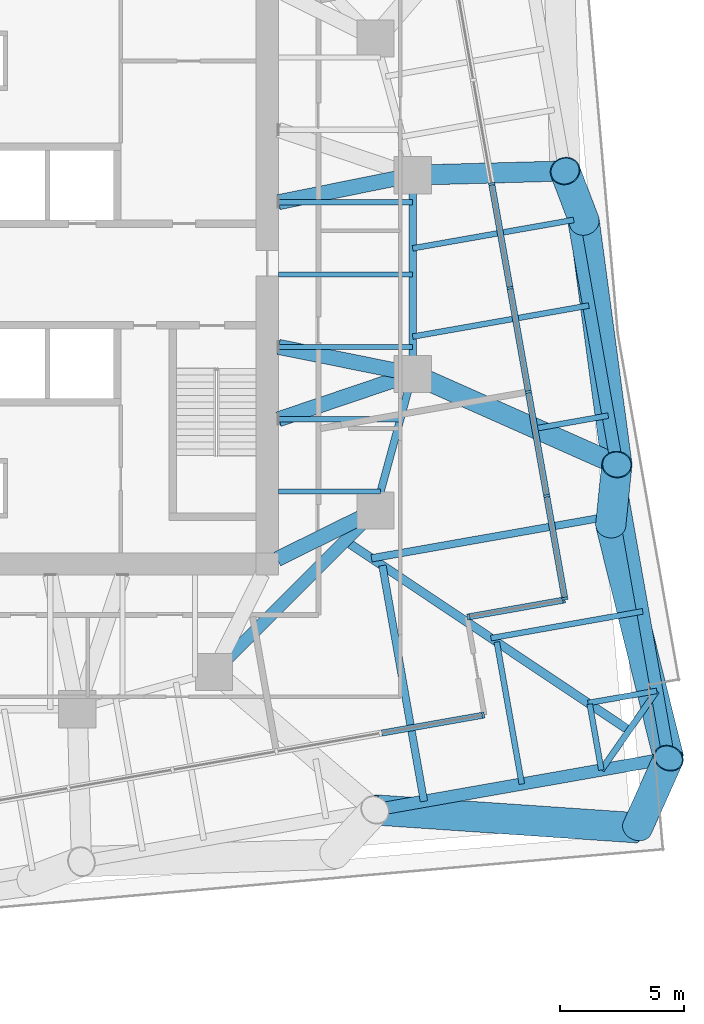
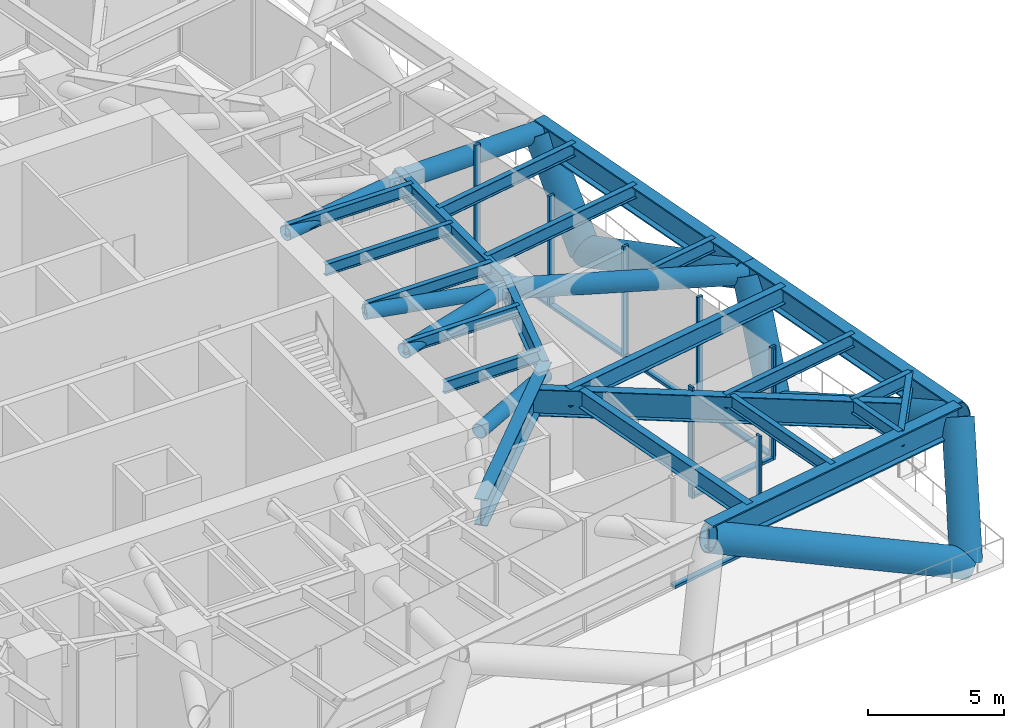
# One storey, part 4 of 15: 26 members, 22 beams, 3 elements without a shape of their own.
"""IFC4 building model written with IfcOpenShell, lengths in metres."""

from ifc_helpers import new_model, si_unit, direction, frame, origin, origin_2d, place, context, subcontext, project, spatial, rectangle, hollow_circle, i_section, extrude, material, material_profile, profile_set, type_object, element, aggregate, save


model = new_model("IFC4")

# Units and contexts
model_context = context("Model", 3, precision=1e-05, world=origin(), true_north=direction((0.0, 1.0)))
body_context = subcontext(model_context, "Body", "Model", "MODEL_VIEW")
ifc_project = project(units=[si_unit("LENGTHUNIT", "METRE"), si_unit("AREAUNIT", "SQUARE_METRE"), si_unit("VOLUMEUNIT", "CUBIC_METRE"), si_unit("PLANEANGLEUNIT", "RADIAN"), si_unit("MASSUNIT", "GRAM", prefix="KILO")], contexts=[model_context])

# Site, building, storey
site_placement = place(None, origin())
site = spatial("IfcSite", under=ifc_project, at=site_placement, CompositionType="ELEMENT")
building_placement = place(site_placement, origin())
building = spatial("IfcBuilding", under=site, at=building_placement, Name="Torsade Residences", CompositionType="ELEMENT")
storey_placement = place(building_placement, frame((0.0, 0.0, 74.39990234375)))
storey = spatial("IfcBuildingStorey", under=building, at=storey_placement, Name="L20", CompositionType="ELEMENT", Elevation=74.39990234375)

# Beams
ifc_material_1 = material(Name="Steel grade 300", Category="steel")
ifc_material_profile_1 = material_profile(ifc_material_1, i_section(OverallWidth=0.35009765625, OverallDepth=1.199951171875, WebThickness=0.01611328125, FlangeThickness=0.028076171875, at=origin_2d()), Name="1200WB278")
ifc_profile_set_1 = profile_set([ifc_material_profile_1], Name="Steel grade 300")
beam_type_1 = type_object("IfcBeamType", Name="CORNER GIRDER 1200WB278", PredefinedType="BEAM", material=ifc_profile_set_1)
beam_1_placement = place(storey_placement, frame((66.2099609375, 11.6474609375, 4.25), z_axis=(-0.831284218533, 0.555847594236, 0.0), x_axis=(-0.555847594236, -0.831284218533, 0.0)))
element("IfcBeam", 1, at=beam_1_placement, inside=storey, type_object=beam_type_1, Name="Corner girder 05 L21", PredefinedType="BEAM", context=body_context, shape_type="SweptSolid", body=[
    extrude(i_section(OverallWidth=0.35009765625, OverallDepth=1.199951171875, WebThickness=0.01611328125, FlangeThickness=0.028076171875, at=origin_2d()), origin(), (0.0, 0.0, 1.0), 13.742431640625),
])
ifc_material_2 = material(Name="Steel grade 300", Category="steel")
ifc_material_profile_2 = material_profile(ifc_material_2, i_section(OverallWidth=0.25, OverallDepth=0.699951171875, WebThickness=0.010009765625, FlangeThickness=0.02001953125, at=origin_2d()), Name="700WB130")
ifc_profile_set_2 = profile_set([ifc_material_profile_2], Name="Steel grade 300")
beam_type_2 = type_object("IfcBeamType", Name="CORNER TRIMMER 700WB130", PredefinedType="BEAM", material=ifc_profile_set_2)
beam_2_placement = place(storey_placement, frame((67.325439453125, 13.240478515625, 4.5), z_axis=(-0.573576092373, -0.819152285145, 0.0), x_axis=(0.819152285145, -0.573576092373, 0.0)))
element("IfcBeam", 2, at=beam_2_placement, inside=storey, type_object=beam_type_2, Name="Corner trimmer 05 L21", PredefinedType="BEAM", context=body_context, shape_type="SweptSolid", body=[
    extrude(i_section(OverallWidth=0.25, OverallDepth=0.699951171875, WebThickness=0.010009765625, FlangeThickness=0.02001953125, at=origin_2d()), origin(), (0.0, 0.0, 1.0), 3.88916015625),
])
ifc_material_3 = material(Name="Steel grade 300", Category="steel")
ifc_material_profile_3 = material_profile(ifc_material_3, i_section(OverallWidth=0.208984375, OverallDepth=0.528076171875, WebThickness=0.009521484375, FlangeThickness=0.01318359375, FilletRadius=0.013916015625, at=origin_2d()), Name="530UB82.0")
ifc_profile_set_3 = profile_set([ifc_material_profile_3], Name="Steel grade 300")
beam_type_3 = type_object("IfcBeamType", Name="INNER FLOOR BEAM 530UB82.0", PredefinedType="JOIST", material=ifc_profile_set_3)
beam_3_placement = place(storey_placement, frame((52.10009765625, 21.262451171875, 4.586181640625), z_axis=(1.0, 0.0, 0.0), x_axis=(0.0, 1.0, 0.0)))
element("IfcBeam", 3, at=beam_3_placement, inside=storey, type_object=beam_type_3, Name="Inner floor beam IE01 L21", PredefinedType="JOIST", context=body_context, shape_type="SweptSolid", body=[
    extrude(i_section(OverallWidth=0.208984375, OverallDepth=0.528076171875, WebThickness=0.009521484375, FlangeThickness=0.01318359375, FilletRadius=0.013916015625, at=origin_2d()), origin(), (0.0, 0.0, 1.0), 4.10791015625),
])
beam_4_placement = place(storey_placement, frame((52.10009765625, 24.175048828125, 4.586181640625), z_axis=(1.0, 0.0, 0.0), x_axis=(0.0, 1.0, 0.0)))
element("IfcBeam", 4, at=beam_4_placement, inside=storey, type_object=beam_type_3, Name="Inner floor beam IE02 L21", PredefinedType="JOIST", context=body_context, shape_type="SweptSolid", body=[
    extrude(i_section(OverallWidth=0.208984375, OverallDepth=0.528076171875, WebThickness=0.009521484375, FlangeThickness=0.01318359375, FilletRadius=0.013916015625, at=origin_2d()), origin(), (0.0, 0.0, 1.0), 4.902099609375),
])
for number, where, z_axis, x_axis, name in (
    (5, (52.10009765625, 27.08740234375, 4.586181640625), (1.0, 0.0, 0.0), (0.0, 1.0, 0.0), "Inner floor beam IE03 L21"),
    (6, (52.10009765625, 30.0, 4.586181640625), (1.0, 0.0, 0.0), (0.0, 1.0, 0.0), "Inner floor beam IE04 L21"),
    (7, (52.10009765625, 32.91259765625, 4.586181640625), (1.0, 0.0, 0.0), (0.0, 1.0, 0.0), "Inner floor beam IE05 L21"),
):
    element("IfcBeam", number, at=place(storey_placement, frame(where, z_axis=z_axis, x_axis=x_axis)), inside=storey, type_object=beam_type_3, Name=name, PredefinedType="JOIST", context=body_context, shape_type="SweptSolid", body=[
        extrude(i_section(OverallWidth=0.208984375, OverallDepth=0.528076171875, WebThickness=0.009521484375, FlangeThickness=0.01318359375, FilletRadius=0.013916015625, at=origin_2d()), origin(), (0.0, 0.0, 1.0), 5.39990234375),
    ])
ifc_material_4 = material(Name="Steel grade 300", Category="steel")
ifc_material_profile_4 = material_profile(ifc_material_4, i_section(OverallWidth=0.5, OverallDepth=1.199951171875, WebThickness=0.01611328125, FlangeThickness=0.0400390625, at=origin_2d()), Name="1200WB455")
ifc_profile_set_4 = profile_set([ifc_material_profile_4], Name="Steel grade 300")
beam_type_4 = type_object("IfcBeamType", Name="RING CORNER GIRDER 1200WB455", PredefinedType="BEAM", material=ifc_profile_set_4)
beam_5_placement = place(storey_placement, frame((49.5, 14.0, 4.25), z_axis=(0.707106781187, 0.707106781187, 0.0), x_axis=(-0.707106781187, 0.707106781187, 0.0)))
element("IfcBeam", 8, at=beam_5_placement, inside=storey, type_object=beam_type_4, Name="Ring girder IR15 L21", PredefinedType="BEAM", context=body_context, shape_type="SweptSolid", body=[
    extrude(i_section(OverallWidth=0.5, OverallDepth=1.199951171875, WebThickness=0.01611328125, FlangeThickness=0.0400390625, at=origin_2d()), origin(), (0.0, 0.0, 1.0), 9.1923828125),
])
ifc_material_5 = material(Name="Steel grade 300", Category="steel")
ifc_material_profile_5 = material_profile(ifc_material_5, i_section(OverallWidth=0.300048828125, OverallDepth=1.0, WebThickness=0.01611328125, FlangeThickness=0.028076171875, at=origin_2d()), Name="1000WB215")
ifc_profile_set_5 = profile_set([ifc_material_profile_5], Name="Steel grade 300")
beam_type_5 = type_object("IfcBeamType", Name="RING GIRDER 1000WB215", PredefinedType="BEAM", material=ifc_profile_set_5)
beam_6_placement = place(storey_placement, frame((57.5, 26.0, 4.35009765625), z_axis=(0.0, 1.0, 0.0), x_axis=(-1.0, 0.0, 0.0)))
element("IfcBeam", 9, at=beam_6_placement, inside=storey, type_object=beam_type_5, Name="Ring girder IR01 L21", PredefinedType="BEAM", context=body_context, shape_type="SweptSolid", body=[
    extrude(i_section(OverallWidth=0.300048828125, OverallDepth=1.0, WebThickness=0.01611328125, FlangeThickness=0.028076171875, at=origin_2d()), origin(), (0.0, 0.0, 1.0), 8.0),
])
beam_7_placement = place(storey_placement, frame((56.0, 20.5, 4.35009765625), z_axis=(0.263117405792, 0.964763821238, 0.0), x_axis=(-0.964763821238, 0.263117405792, 0.0)))
element("IfcBeam", 10, at=beam_7_placement, inside=storey, type_object=beam_type_5, Name="Ring girder IR16 L21", PredefinedType="BEAM", context=body_context, shape_type="SweptSolid", body=[
    extrude(i_section(OverallWidth=0.300048828125, OverallDepth=1.0, WebThickness=0.01611328125, FlangeThickness=0.028076171875, at=origin_2d()), origin(), (0.0, 0.0, 1.0), 5.700927734375),
])
ifc_material_6 = material(Name="Steel grade 300", Category="steel")
ifc_material_profile_6 = material_profile(ifc_material_6, i_section(OverallWidth=0.22900390625, OverallDepth=0.612060546875, WebThickness=0.011962890625, FlangeThickness=0.01953125, FilletRadius=0.013916015625, at=origin_2d()), Name="610UB125")
ifc_profile_set_6 = profile_set([ifc_material_profile_6], Name="Steel grade 300")
beam_type_6 = type_object("IfcBeamType", Name="SECONDARY BEAM 610UB125", PredefinedType="JOIST", material=ifc_profile_set_6)
beam_8_placement = place(storey_placement, frame((61.89404296875, 9.490234375, 4.544189453125), z_axis=(-0.17364618288, 0.984808104745, 0.0), x_axis=(-0.984808104745, -0.17364618288, 0.0)))
element("IfcBeam", 11, at=beam_8_placement, inside=storey, type_object=beam_type_6, Name="Floor beam FS11 L21", PredefinedType="JOIST", context=body_context, shape_type="SweptSolid", body=[
    extrude(i_section(OverallWidth=0.22900390625, OverallDepth=0.612060546875, WebThickness=0.011962890625, FlangeThickness=0.01953125, FilletRadius=0.013916015625, at=origin_2d()), origin(), (0.0, 0.0, 1.0), 5.80517578125),
])
beam_9_placement = place(storey_placement, frame((65.0947265625, 10.0546875, 4.544189453125), z_axis=(-0.173671513648, 0.984803637964, 0.0), x_axis=(-0.984803637964, -0.173671513648, 0.0)))
element("IfcBeam", 12, at=beam_9_placement, inside=storey, type_object=beam_type_6, Name="Floor beam FS12 L21", PredefinedType="JOIST", context=body_context, shape_type="SweptSolid", body=[
    extrude(i_section(OverallWidth=0.22900390625, OverallDepth=0.612060546875, WebThickness=0.011962890625, FlangeThickness=0.01953125, FilletRadius=0.013916015625, at=origin_2d()), origin(), (0.0, 0.0, 1.0), 2.692138671875),
])
beam_10_placement = place(storey_placement, frame((67.325439453125, 13.240478515625, 4.544189453125), z_axis=(-0.984808034965, -0.173646578627, 0.0), x_axis=(0.173646578627, -0.984808034965, 0.0)))
element("IfcBeam", 13, at=beam_10_placement, inside=storey, type_object=beam_type_6, Name="Floor beam FE01 L21", PredefinedType="JOIST", context=body_context, shape_type="SweptSolid", body=[
    extrude(i_section(OverallWidth=0.22900390625, OverallDepth=0.612060546875, WebThickness=0.011962890625, FlangeThickness=0.01953125, FilletRadius=0.013916015625, at=origin_2d()), origin(), (0.0, 0.0, 1.0), 2.810546875),
])
beam_11_placement = place(storey_placement, frame((66.760986328125, 16.44091796875, 4.544189453125), z_axis=(-0.984808114517, -0.173646127458, 0.0), x_axis=(0.173646127458, -0.984808114517, 0.0)))
element("IfcBeam", 14, at=beam_11_placement, inside=storey, type_object=beam_type_6, Name="Floor beam FE02 L21", PredefinedType="JOIST", context=body_context, shape_type="SweptSolid", body=[
    extrude(i_section(OverallWidth=0.22900390625, OverallDepth=0.612060546875, WebThickness=0.011962890625, FlangeThickness=0.01953125, FilletRadius=0.013916015625, at=origin_2d()), origin(), (0.0, 0.0, 1.0), 6.203125),
])
beam_12_placement = place(storey_placement, frame((65.371826171875, 24.319580078125, 4.544189453125), z_axis=(-0.984797618104, -0.17370564578, 0.0), x_axis=(0.17370564578, -0.984797618104, 0.0)))
element("IfcBeam", 15, at=beam_12_placement, inside=storey, type_object=beam_type_6, Name="Floor beam FE04 L21", PredefinedType="JOIST", context=body_context, shape_type="SweptSolid", body=[
    extrude(i_section(OverallWidth=0.22900390625, OverallDepth=0.612060546875, WebThickness=0.011962890625, FlangeThickness=0.01953125, FilletRadius=0.013916015625, at=origin_2d()), origin(), (0.0, 0.0, 1.0), 2.97119140625),
])
beam_13_placement = place(storey_placement, frame((64.59033203125, 28.751220703125, 4.544189453125), z_axis=(-0.984807104535, -0.173651855324, 0.0), x_axis=(0.173651855324, -0.984807104535, 0.0)))
element("IfcBeam", 16, at=beam_13_placement, inside=storey, type_object=beam_type_6, Name="Floor beam FE05 L21", PredefinedType="JOIST", context=body_context, shape_type="SweptSolid", body=[
    extrude(i_section(OverallWidth=0.22900390625, OverallDepth=0.612060546875, WebThickness=0.011962890625, FlangeThickness=0.01953125, FilletRadius=0.013916015625, at=origin_2d()), origin(), (0.0, 0.0, 1.0), 7.19970703125),
])
beam_14_placement = place(storey_placement, frame((63.982666015625, 32.197998046875, 4.544189453125), z_axis=(-0.984807818459, -0.173647806501, 0.0), x_axis=(0.173647806501, -0.984807818459, 0.0)))
element("IfcBeam", 17, at=beam_14_placement, inside=storey, type_object=beam_type_6, Name="Floor beam FE06 L21", PredefinedType="JOIST", context=body_context, shape_type="SweptSolid", body=[
    extrude(i_section(OverallWidth=0.22900390625, OverallDepth=0.612060546875, WebThickness=0.011962890625, FlangeThickness=0.01953125, FilletRadius=0.013916015625, at=origin_2d()), origin(), (0.0, 0.0, 1.0), 6.582763671875),
])
ifc_material_7 = material(Name="Steel grade 300", Category="steel")
ifc_material_profile_7 = material_profile(ifc_material_7, i_section(OverallWidth=0.300048828125, OverallDepth=0.800048828125, WebThickness=0.010009765625, FlangeThickness=0.02001953125, at=origin_2d()), Name="800WB146")
ifc_profile_set_7 = profile_set([ifc_material_profile_7], Name="Steel grade 300")
beam_type_7 = type_object("IfcBeamType", Name="SECONDARY BEAM 800WB146", PredefinedType="JOIST", material=ifc_profile_set_7)
beam_15_placement = place(storey_placement, frame((57.954833984375, 8.795654296875, 4.4501953125), z_axis=(-0.173639363846, 0.984809307086, 0.0), x_axis=(-0.984809307086, -0.173639363846, 0.0)))
element("IfcBeam", 18, at=beam_15_placement, inside=storey, type_object=beam_type_7, Name="Floor beam FS10 L21", PredefinedType="JOIST", context=body_context, shape_type="SweptSolid", body=[
    extrude(i_section(OverallWidth=0.300048828125, OverallDepth=0.800048828125, WebThickness=0.010009765625, FlangeThickness=0.02001953125, at=origin_2d()), origin(), (0.0, 0.0, 1.0), 9.636962890625),
])
beam_16_placement = place(storey_placement, frame((66.06640625, 20.380126953125, 4.4501953125), z_axis=(-0.98480888615, -0.173641751202, 0.0), x_axis=(0.173641751202, -0.98480888615, 0.0)))
element("IfcBeam", 19, at=beam_16_placement, inside=storey, type_object=beam_type_7, Name="Floor beam FE03 L21", PredefinedType="JOIST", context=body_context, shape_type="SweptSolid", body=[
    extrude(i_section(OverallWidth=0.300048828125, OverallDepth=0.800048828125, WebThickness=0.010009765625, FlangeThickness=0.02001953125, at=origin_2d()), origin(), (0.0, 0.0, 1.0), 10.379150390625),
])

# Members
ifc_material_8 = material(Name="Steel grade 450", Category="steel")
ifc_material_profile_8 = material_profile(ifc_material_8, hollow_circle(Radius=0.304931640625, WallThickness=0.01611328125, at=origin_2d()), Name="610.0x16.0CHS")
ifc_profile_set_8 = profile_set([ifc_material_profile_8], Name="Steel grade 450")
member_type_1 = type_object("IfcMemberType", Name="TRANSFER FLOOR BRACE 610.0x16.0CHS", PredefinedType="BRACE", material=ifc_profile_set_8)
member_1_placement = place(storey_placement, frame((57.5, 26.0, 4.25), z_axis=(-0.97976207845, 0.197299045909, 0.03375434957), x_axis=(-0.197411538983, -0.980320704809, 0.0)))
element("IfcMember", 20, at=member_1_placement, inside=storey, type_object=member_type_1, Name="Transfer floor brace TT2 top IR01IE03", PredefinedType="BRACE", context=body_context, shape_type="SweptSolid", body=[
    extrude(hollow_circle(Radius=0.304931640625, WallThickness=0.01611328125, at=origin_2d()), origin(), (0.0, 0.0, 1.0), 5.511474609375),
])
member_2_placement = place(storey_placement, frame((57.5, 26.0, 4.25), z_axis=(-0.946855969774, -0.319999474368, 0.032620682203), x_axis=(0.320169867513, -0.947360151124, 0.0)))
element("IfcMember", 21, at=member_2_placement, inside=storey, type_object=member_type_1, Name="Transfer floor brace TT2 top IR01IE02", PredefinedType="BRACE", context=body_context, shape_type="SweptSolid", body=[
    extrude(hollow_circle(Radius=0.304931640625, WallThickness=0.01611328125, at=origin_2d()), origin(), (0.0, 0.0, 1.0), 5.702880859375),
])
member_3_placement = place(storey_placement, frame((57.5, 34.0, 4.25), z_axis=(-0.97976207845, -0.197299045909, 0.03375434957), x_axis=(0.197411538983, -0.980320704809, 0.0)))
element("IfcMember", 22, at=member_3_placement, inside=storey, type_object=member_type_1, Name="Transfer floor brace TT2 top IR02IE05", PredefinedType="BRACE", context=body_context, shape_type="SweptSolid", body=[
    extrude(hollow_circle(Radius=0.304931640625, WallThickness=0.01611328125, at=origin_2d()), origin(), (0.0, 0.0, 1.0), 5.511474609375),
])
member_4_placement = place(storey_placement, frame((56.0, 20.5, 4.25), z_axis=(-0.896469701914, -0.443105036702, 0.0), x_axis=(0.443105036702, -0.896469701914, 0.0)))
element("IfcMember", 23, at=member_4_placement, inside=storey, type_object=member_type_1, Name="Transfer floor brace TT2 top IR16C", PredefinedType="BRACE", context=body_context, shape_type="SweptSolid", body=[
    extrude(hollow_circle(Radius=0.304931640625, WallThickness=0.01611328125, at=origin_2d()), origin(), (0.0, 0.0, 1.0), 4.40234375),
])
ifc_material_9 = material(Name="Steel grade 450", Category="steel")
ifc_material_profile_9 = material_profile(ifc_material_9, hollow_circle(Radius=0.406494140625, WallThickness=0.02490234375, at=origin_2d()), Name="813.0x25.0CHS")
ifc_profile_set_9 = profile_set([ifc_material_profile_9], Name="Steel grade 450")
member_type_2 = type_object("IfcMemberType", Name="TRANSFER FLOOR STRUT 813.0x25.0CHS", PredefinedType="STRUT", material=ifc_profile_set_9)
member_5_placement = place(storey_placement, frame((65.71923828125, 22.349853515625, 4.25), z_axis=(-0.913929053822, 0.405873976228, 0.0), x_axis=(-0.405873976228, -0.913929053822, 0.0)))
element("IfcMember", 24, at=member_5_placement, inside=storey, type_object=member_type_2, Name="Transfer floor strut TT2 top 06IR01", PredefinedType="STRUT", context=body_context, shape_type="SweptSolid", body=[
    extrude(hollow_circle(Radius=0.406494140625, WallThickness=0.02490234375, at=origin_2d()), origin(), (0.0, 0.0, 1.0), 8.993408203125),
])
member_6_placement = place(storey_placement, frame((63.635498046875, 34.16748046875, 4.25), z_axis=(-0.999627645955, -0.027286799774, 0.0), x_axis=(0.027286799774, -0.999627645955, 0.0)))
element("IfcMember", 25, at=member_6_placement, inside=storey, type_object=member_type_2, Name="Transfer floor strut TT2 top 07IR02", PredefinedType="STRUT", context=body_context, shape_type="SweptSolid", body=[
    extrude(hollow_circle(Radius=0.406494140625, WallThickness=0.02490234375, at=origin_2d()), origin(), (0.0, 0.0, 1.0), 6.1376953125),
])

# Curtain wall, member
ifc_material_10 = material(Name="Aluminium and glass", Category="aluminium")
curtain_wall_type = type_object("IfcCurtainWallType", Name="TRANSFER LEVEL CURTAIN WALL LOW ZONE", PredefinedType="NOTDEFINED", material=ifc_material_10)
curtain_wall_1_placement = place(storey_placement, origin())
curtain_wall_1 = element("IfcCurtainWall", 26, at=curtain_wall_1_placement, inside=storey, type_object=curtain_wall_type, Name="Curtain wall L20 face 1", PredefinedType="NOTDEFINED")
ifc_material_11 = material(Name="Aluminium mullion", Category="aluminium")
ifc_material_profile_10 = material_profile(ifc_material_11, rectangle(XDim=0.25, YDim=0.10009765625, at=origin_2d()), Name="TRANSFER LEVEL CURTAIN WALL MULLION 250x100")
ifc_profile_set_10 = profile_set([ifc_material_profile_10], Name="Aluminium mullion")
member_type_3 = type_object("IfcMemberType", Name="TRANSFER LEVEL CURTAIN WALL MULLION 250x100", PredefinedType="MULLION", material=ifc_profile_set_10)
member_7_placement = place(storey_placement, frame((60.339111328125, 12.262451171875, 0.0), z_axis=(0.0, 0.0, 1.0), x_axis=(-0.173648174504, 0.98480775357, 0.0)))
member_7 = element("IfcMember", 27, at=member_7_placement, type_object=member_type_3, Name="Mullion 9", PredefinedType="MULLION", context=body_context, shape_type="SweptSolid", body=[
    extrude(rectangle(XDim=0.25, YDim=0.10009765625, at=origin_2d()), origin(), (0.0, 0.0, 1.0), 5.0),
])

# Curtain wall, members
curtain_wall_2_placement = place(storey_placement, origin())
curtain_wall_2 = element("IfcCurtainWall", 28, at=curtain_wall_2_placement, inside=storey, type_object=curtain_wall_type, Name="Curtain wall L20 face 3", PredefinedType="NOTDEFINED")
member_8_placement = place(storey_placement, frame((59.742919921875, 16.218994140625, 0.0), z_axis=(0.0, 0.0, 1.0), x_axis=(-0.173648248327, 0.984807740553, 0.0)))
member_8 = element("IfcMember", 29, at=member_8_placement, type_object=member_type_3, Name="Mullion 1", PredefinedType="MULLION", context=body_context, shape_type="SweptSolid", body=[
    extrude(rectangle(XDim=0.25, YDim=0.10009765625, at=origin_2d()), origin(), (0.0, 0.0, 1.0), 5.0),
])
member_9_placement = place(storey_placement, frame((63.583740234375, 16.896240234375, 0.0), z_axis=(0.0, 0.0, 1.0), x_axis=(-0.173648248327, 0.984807740553, 0.0)))
member_9 = element("IfcMember", 30, at=member_9_placement, type_object=member_type_3, Name="Mullion 2", PredefinedType="MULLION", context=body_context, shape_type="SweptSolid", body=[
    extrude(rectangle(XDim=0.25, YDim=0.10009765625, at=origin_2d()), origin(), (0.0, 0.0, 1.0), 5.0),
])

curtain_wall_3_placement = place(storey_placement, origin())
curtain_wall_3 = element("IfcCurtainWall", 31, at=curtain_wall_3_placement, inside=storey, type_object=curtain_wall_type, Name="Curtain wall L20 face 4", PredefinedType="NOTDEFINED")
member_10_placement = place(storey_placement, frame((63.624267578125, 16.9541015625, 0.0), z_axis=(0.0, 0.0, 1.0), x_axis=(-0.98480775357, -0.173648174504, 0.0)))
member_10 = element("IfcMember", 32, at=member_10_placement, type_object=member_type_3, Name="Mullion 1", PredefinedType="MULLION", context=body_context, shape_type="SweptSolid", body=[
    extrude(rectangle(XDim=0.25, YDim=0.10009765625, at=origin_2d()), origin(), (0.0, 0.0, 1.0), 5.0),
])
member_11_placement = place(storey_placement, frame((62.89501953125, 21.09033203125, 0.0), z_axis=(0.0, 0.0, 1.0), x_axis=(-0.98480775357, -0.173648174504, 0.0)))
member_11 = element("IfcMember", 33, at=member_11_placement, type_object=member_type_3, Name="Mullion 2", PredefinedType="MULLION", context=body_context, shape_type="SweptSolid", body=[
    extrude(rectangle(XDim=0.25, YDim=0.10009765625, at=origin_2d()), origin(), (0.0, 0.0, 1.0), 5.0),
])
member_12_placement = place(storey_placement, frame((62.156982421875, 25.275634765625, 0.0), z_axis=(0.0, 0.0, 1.0), x_axis=(-0.98480775357, -0.173648174504, 0.0)))
member_12 = element("IfcMember", 34, at=member_12_placement, type_object=member_type_3, Name="Mullion 3", PredefinedType="MULLION", context=body_context, shape_type="SweptSolid", body=[
    extrude(rectangle(XDim=0.25, YDim=0.10009765625, at=origin_2d()), origin(), (0.0, 0.0, 1.0), 5.0),
])
member_13_placement = place(storey_placement, frame((61.4189453125, 29.461181640625, 0.0), z_axis=(0.0, 0.0, 1.0), x_axis=(-0.98480775357, -0.173648174504, 0.0)))
member_13 = element("IfcMember", 35, at=member_13_placement, type_object=member_type_3, Name="Mullion 4", PredefinedType="MULLION", context=body_context, shape_type="SweptSolid", body=[
    extrude(rectangle(XDim=0.25, YDim=0.10009765625, at=origin_2d()), origin(), (0.0, 0.0, 1.0), 5.0),
])
member_14_placement = place(storey_placement, frame((60.680908203125, 33.646728515625, 0.0), z_axis=(0.0, 0.0, 1.0), x_axis=(-0.98480775357, -0.173648174504, 0.0)))
member_14 = element("IfcMember", 36, at=member_14_placement, type_object=member_type_3, Name="Mullion 5", PredefinedType="MULLION", context=body_context, shape_type="SweptSolid", body=[
    extrude(rectangle(XDim=0.25, YDim=0.10009765625, at=origin_2d()), origin(), (0.0, 0.0, 1.0), 5.0),
])

# Member
ifc_material_12 = material(Name="Aluminium transom", Category="aluminium")
ifc_material_profile_11 = material_profile(ifc_material_12, rectangle(XDim=0.25, YDim=0.1201171875, at=origin_2d()), Name="TRANSFER LEVEL CURTAIN WALL TRANSOM 250x120")
ifc_profile_set_11 = profile_set([ifc_material_profile_11], Name="Aluminium transom")
member_type_4 = type_object("IfcMemberType", Name="TRANSFER LEVEL CURTAIN WALL TRANSOM 250x120", PredefinedType="USERDEFINED", material=ifc_profile_set_11)
member_15_placement = place(storey_placement, frame((56.252197265625, 11.541748046875, 0.06005859375), z_axis=(0.984808726596, 0.17364265611, 0.0), x_axis=(-0.17364265611, 0.984808726596, 0.0)))
member_15 = element("IfcMember", 37, at=member_15_placement, type_object=member_type_4, Name="Transom 8.1", ObjectType="TRANSOM", PredefinedType="USERDEFINED", context=body_context, shape_type="SweptSolid", body=[
    extrude(rectangle(XDim=0.25, YDim=0.1201171875, at=origin_2d()), origin(), (0.0, 0.0, 1.0), 4.099853515625),
])

aggregate(curtain_wall_1, [member_7, member_15])

member_16_placement = place(storey_placement, frame((59.792236328125, 16.2275390625, 0.06005859375), z_axis=(0.984804895775, 0.173664381086, 0.0), x_axis=(-0.173664381086, 0.984804895775, 0.0)))
member_16 = element("IfcMember", 38, at=member_16_placement, type_object=member_type_4, Name="Transom 1.1", ObjectType="TRANSOM", PredefinedType="USERDEFINED", context=body_context, shape_type="SweptSolid", body=[
    extrude(rectangle(XDim=0.25, YDim=0.1201171875, at=origin_2d()), origin(), (0.0, 0.0, 1.0), 3.800048828125),
])

aggregate(curtain_wall_2, [member_8, member_9, member_16])

member_17_placement = place(storey_placement, frame((63.61572265625, 17.00341796875, 0.06005859375), z_axis=(-0.173700407966, 0.984798541973, 0.0), x_axis=(-0.984798541973, -0.173700407966, 0.0)))
member_17 = element("IfcMember", 39, at=member_17_placement, type_object=member_type_4, Name="Transom 1.1", ObjectType="TRANSOM", PredefinedType="USERDEFINED", context=body_context, shape_type="SweptSolid", body=[
    extrude(rectangle(XDim=0.25, YDim=0.1201171875, at=origin_2d()), origin(), (0.0, 0.0, 1.0), 4.099853515625),
])

member_18_placement = place(storey_placement, frame((62.88623046875, 21.1396484375, 0.06005859375), z_axis=(-0.173607459029, 0.984814931939, 0.0), x_axis=(-0.984814931939, -0.173607459029, 0.0)))
member_18 = element("IfcMember", 40, at=member_18_placement, type_object=member_type_4, Name="Transom 2.1", ObjectType="TRANSOM", PredefinedType="USERDEFINED", context=body_context, shape_type="SweptSolid", body=[
    extrude(rectangle(XDim=0.25, YDim=0.1201171875, at=origin_2d()), origin(), (0.0, 0.0, 1.0), 4.14990234375),
])

member_19_placement = place(storey_placement, frame((62.148193359375, 25.324951171875, 0.06005859375), z_axis=(-0.173607459029, 0.984814931939, 0.0), x_axis=(-0.984814931939, -0.173607459029, 0.0)))
member_19 = element("IfcMember", 41, at=member_19_placement, type_object=member_type_4, Name="Transom 3.1", ObjectType="TRANSOM", PredefinedType="USERDEFINED", context=body_context, shape_type="SweptSolid", body=[
    extrude(rectangle(XDim=0.25, YDim=0.1201171875, at=origin_2d()), origin(), (0.0, 0.0, 1.0), 4.14990234375),
])

member_20_placement = place(storey_placement, frame((61.410400390625, 29.510498046875, 0.06005859375), z_axis=(-0.173664515088, 0.984804872144, 0.0), x_axis=(-0.984804872144, -0.173664515088, 0.0)))
member_20 = element("IfcMember", 42, at=member_20_placement, type_object=member_type_4, Name="Transom 4.1", ObjectType="TRANSOM", PredefinedType="USERDEFINED", context=body_context, shape_type="SweptSolid", body=[
    extrude(rectangle(XDim=0.25, YDim=0.1201171875, at=origin_2d()), origin(), (0.0, 0.0, 1.0), 4.14990234375),
])

aggregate(curtain_wall_3, [member_10, member_11, member_12, member_13, member_14, member_17, member_18, member_19, member_20])

# Beams
ifc_material_13 = material(Name="Steel grade 350", Category="steel")
ifc_material_profile_12 = material_profile(ifc_material_13, i_section(OverallWidth=0.5, OverallDepth=1.199951171875, WebThickness=0.035888671875, FlangeThickness=0.06005859375, at=origin_2d()), Name="1200x500x60x36WPG")
ifc_profile_set_12 = profile_set([ifc_material_profile_12], Name="Steel grade 350")
beam_type_8 = type_object("IfcBeamType", Name="TRANSFER TRUSS CHORD 1200x500x60x36WPG", PredefinedType="USERDEFINED", material=ifc_profile_set_12)
for number, where, z_axis, x_axis, name in (
    (43, (55.9853515625, 8.448486328125, 4.25), (0.984808127031, 0.173646056486, 0.0), (-0.173646056486, 0.984808127031, 0.0), "Transfer truss TT2 top chord 04"),
    (44, (67.802978515625, 10.5322265625, 4.25), (-0.173646056486, 0.984808127031, 0.0), (-0.984808127031, -0.173646056486, 0.0), "Transfer truss TT2 top chord 05"),
    (45, (65.71923828125, 22.349853515625, 4.25), (-0.173646056486, 0.984808127031, 0.0), (-0.984808127031, -0.173646056486, 0.0), "Transfer truss TT2 top chord 06"),
):
    element("IfcBeam", number, at=place(storey_placement, frame(where, z_axis=z_axis, x_axis=x_axis)), inside=storey, type_object=beam_type_8, Name=name, ObjectType="TRANSFER TRUSS CHORD", PredefinedType="USERDEFINED", context=body_context, shape_type="SweptSolid", body=[
        extrude(i_section(OverallWidth=0.5, OverallDepth=1.199951171875, WebThickness=0.035888671875, FlangeThickness=0.06005859375, at=origin_2d()), origin(), (0.0, 0.0, 1.0), 12.0),
    ])

# Members
ifc_material_14 = material(Name="Steel grade 450", Category="steel")
ifc_material_profile_13 = material_profile(ifc_material_14, hollow_circle(Radius=0.609619140625, WallThickness=0.0400390625, at=origin_2d()), Name="1219.0x40.0CHS")
ifc_profile_set_13 = profile_set([ifc_material_profile_13], Name="Steel grade 450")
member_type_5 = type_object("IfcMemberType", Name="TRANSFER TRUSS DIAGONAL 1219.0x40.0CHS", PredefinedType="BRACE", material=ifc_profile_set_13)
member_21_placement = place(storey_placement, frame((66.5419921875, 7.728515625, -0.199951171875), z_axis=(-0.919663310403, 0.062721718371, 0.387666585539), x_axis=(-0.068042678793, -0.997682411323, 0.0)))
element("IfcMember", 46, at=member_21_placement, inside=storey, type_object=member_type_5, Name="Transfer truss TT2 diagonal 04", PredefinedType="BRACE", context=body_context, shape_type="SweptSolid", body=[
    extrude(hollow_circle(Radius=0.609619140625, WallThickness=0.0400390625, at=origin_2d()), origin(), (0.0, 0.0, 1.0), 11.478759765625),
])
member_22_placement = place(storey_placement, frame((65.474365234375, 19.931884765625, -0.199951171875), z_axis=(0.218499329964, -0.881992315258, 0.417549516382), x_axis=(0.970657863022, 0.240464785266, 0.0)))
element("IfcMember", 47, at=member_22_placement, inside=storey, type_object=member_type_5, Name="Transfer truss TT2 diagonal 05", PredefinedType="BRACE", context=body_context, shape_type="SweptSolid", body=[
    extrude(hollow_circle(Radius=0.609619140625, WallThickness=0.0400390625, at=origin_2d()), origin(), (0.0, 0.0, 1.0), 10.6572265625),
])
member_23_placement = place(storey_placement, frame((64.40673828125, 32.13525390625, -0.199951171875), z_axis=(0.121196363135, -0.903584715554, 0.410908874789), x_axis=(0.991124366863, 0.132937915627, 0.0)))
element("IfcMember", 48, at=member_23_placement, inside=storey, type_object=member_type_5, Name="Transfer truss TT2 diagonal 06", PredefinedType="BRACE", context=body_context, shape_type="SweptSolid", body=[
    extrude(hollow_circle(Radius=0.609619140625, WallThickness=0.0400390625, at=origin_2d()), origin(), (0.0, 0.0, 1.0), 10.82958984375),
])
ifc_material_15 = material(Name="Steel grade 450", Category="steel")
ifc_material_profile_14 = material_profile(ifc_material_15, hollow_circle(Radius=0.609619140625, WallThickness=0.0400390625, at=origin_2d()), Name="1219.0x40.0CHS")
ifc_profile_set_14 = profile_set([ifc_material_profile_14], Name="Steel grade 450")
member_type_6 = type_object("IfcMemberType", Name="TRANSFER TRUSS RAKING STRUT 1219.0x40.0CHS", PredefinedType="STRUT", material=ifc_profile_set_14)
member_24_placement = place(storey_placement, frame((66.5419921875, 7.728515625, -0.199951171875), z_axis=(0.23314471004, 0.518380222671, 0.822754817017), x_axis=(-0.912004699077, 0.410179751892, 0.0)))
element("IfcMember", 49, at=member_24_placement, inside=storey, type_object=member_type_6, Name="Transfer truss TT2 raking strut 05", PredefinedType="STRUT", context=body_context, shape_type="SweptSolid", body=[
    extrude(hollow_circle(Radius=0.609619140625, WallThickness=0.0400390625, at=origin_2d()), origin(), (0.0, 0.0, 1.0), 5.40869140625),
])
member_25_placement = place(storey_placement, frame((65.474365234375, 19.931884765625, -0.199951171875), z_axis=(0.04829495459, 0.476882582508, 0.877639219646), x_axis=(-0.994911080331, 0.100756847089, 0.0)))
element("IfcMember", 50, at=member_25_placement, inside=storey, type_object=member_type_6, Name="Transfer truss TT2 raking strut 06", PredefinedType="STRUT", context=body_context, shape_type="SweptSolid", body=[
    extrude(hollow_circle(Radius=0.609619140625, WallThickness=0.0400390625, at=origin_2d()), origin(), (0.0, 0.0, 1.0), 5.0703125),
])
member_26_placement = place(storey_placement, frame((64.40673828125, 32.13525390625, -0.199951171875), z_axis=(-0.155728837152, 0.410347211286, 0.89853419271), x_axis=(-0.93493715047, -0.35481336597, 0.0)))
element("IfcMember", 51, at=member_26_placement, inside=storey, type_object=member_type_6, Name="Transfer truss TT2 raking strut 07", PredefinedType="STRUT", context=body_context, shape_type="SweptSolid", body=[
    extrude(hollow_circle(Radius=0.609619140625, WallThickness=0.0400390625, at=origin_2d()), origin(), (0.0, 0.0, 1.0), 4.952392578125),
])

save(model, "model.ifc")
